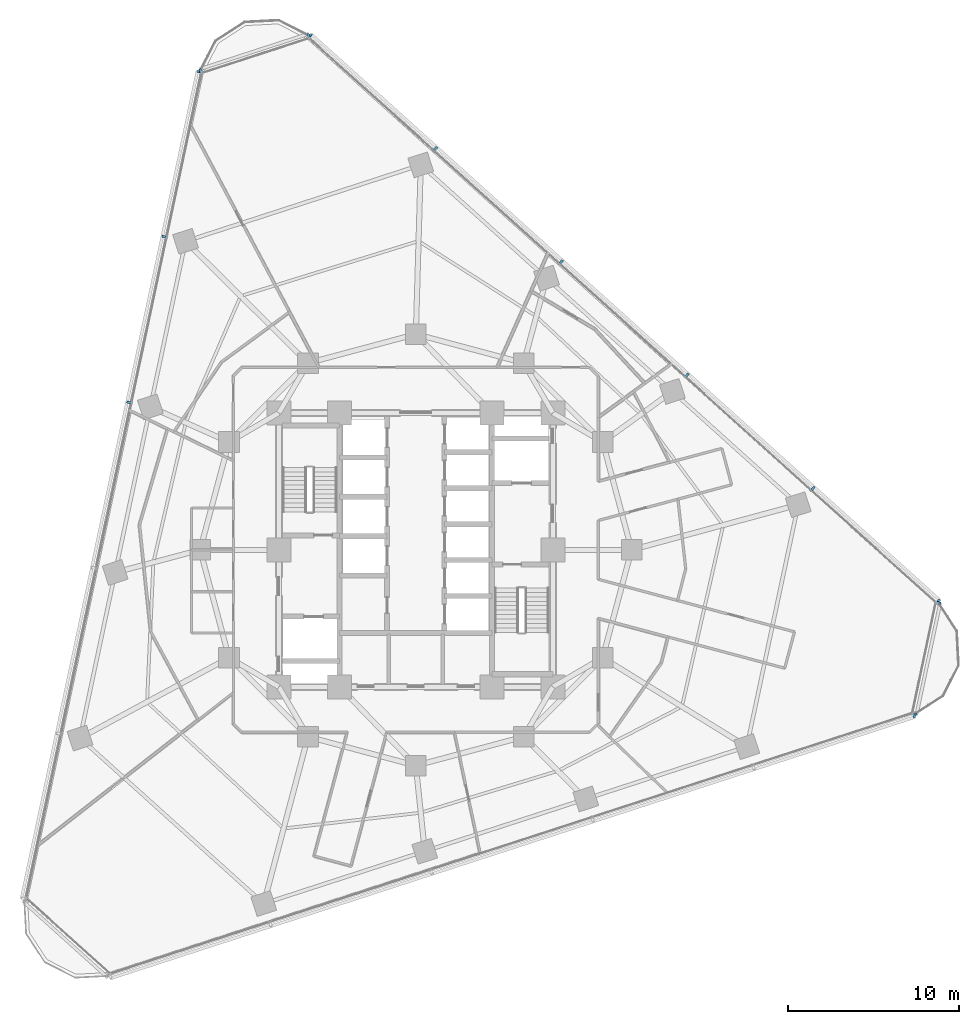
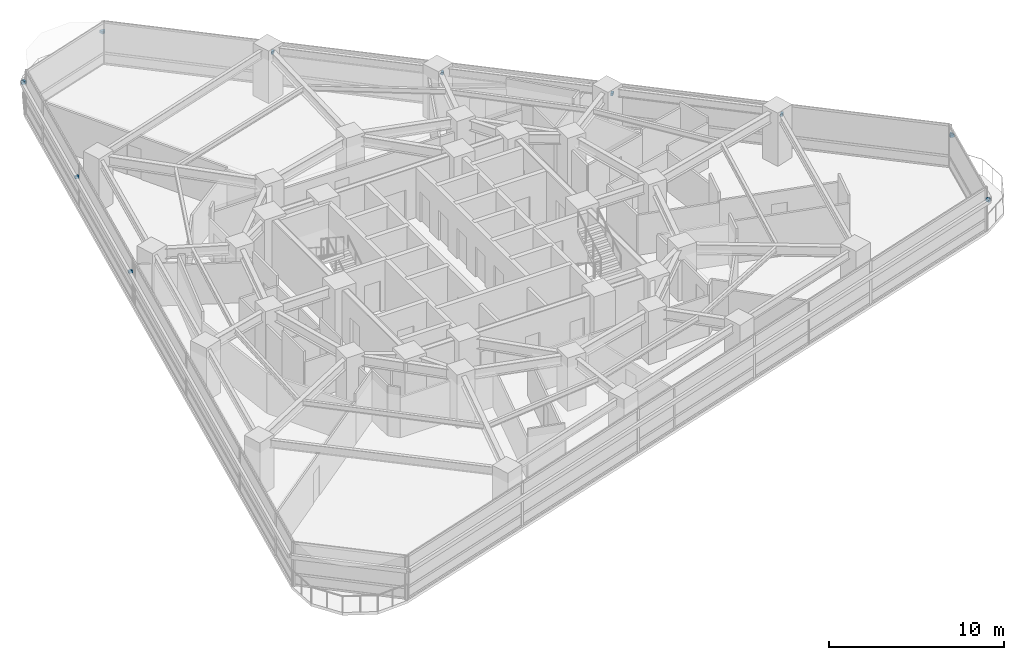
# One storey, part 10 of 13: 14 discrete accessories.
"""IFC4 building model written with IfcOpenShell, lengths in metres."""

from ifc_helpers import new_model, si_unit, direction, frame, origin, origin_2d, place, context, subcontext, project, spatial, rectangle, extrude, material, type_object, element, save


model = new_model("IFC4")

# Units and contexts
model_context = context("Model", 3, precision=1e-05, world=origin(), true_north=direction((0.0, 1.0)))
body_context = subcontext(model_context, "Body", "Model", "MODEL_VIEW")
ifc_project = project(units=[si_unit("LENGTHUNIT", "METRE"), si_unit("AREAUNIT", "SQUARE_METRE"), si_unit("VOLUMEUNIT", "CUBIC_METRE"), si_unit("PLANEANGLEUNIT", "RADIAN"), si_unit("MASSUNIT", "GRAM", prefix="KILO")], contexts=[model_context])

# Site, building, storey
site_placement = place(None, origin())
site = spatial("IfcSite", under=ifc_project, at=site_placement, CompositionType="ELEMENT")
building_placement = place(site_placement, origin())
building = spatial("IfcBuilding", under=site, at=building_placement, Name="Terralouvre Media Tower", CompositionType="ELEMENT")
storey_placement = place(building_placement, frame((0.0, 0.0, 105.10009765625)))
storey = spatial("IfcBuildingStorey", under=building, at=storey_placement, Name="L26", CompositionType="ELEMENT", Elevation=105.10009765625)

# Discrete accessories
ifc_material = material(Name="Anodised extruded aluminium 6063-T6", Category="aluminium")
discrete_accessory_type = type_object("IfcDiscreteAccessoryType", Name="Mullion Stand-Off Baguette Fixing Bracket BK-01", PredefinedType="BRACKET", material=ifc_material)
for number, where, z_axis, x_axis, name in (
    (1, (29.09619140625, -9.67431640625, 2.07373046875), (0.0, 0.0, 1.0), (0.951056509451, 0.309017015439, 0.0), "CW-L26-F0 Baguette Outrigger Bracket 1.06"),
    (2, (30.515625, -2.996337890625, 2.07373046875), (0.0, 0.0, 1.0), (-0.743144795545, 0.669130639602, 0.0), "CW-L26-F1 Baguette Outrigger Bracket 1.01"),
    (3, (23.1953125, 3.5947265625, 2.07373046875), (0.0, 0.0, 1.0), (-0.743144795545, 0.669130639602, 0.0), "CW-L26-F1 Baguette Outrigger Bracket 1.02"),
    (4, (15.846923828125, 10.211181640625, 2.07373046875), (0.0, 0.0, 1.0), (-0.743144795545, 0.669130639602, 0.0), "CW-L26-F1 Baguette Outrigger Bracket 1.03"),
    (5, (8.498779296875, 16.82763671875, 2.07373046875), (0.0, 0.0, 1.0), (-0.743144795545, 0.669130639602, 0.0), "CW-L26-F1 Baguette Outrigger Bracket 1.04"),
    (6, (1.150634765625, 23.44384765625, 2.07373046875), (0.0, 0.0, 1.0), (-0.743144795545, 0.669130639602, 0.0), "CW-L26-F1 Baguette Outrigger Bracket 1.05"),
    (7, (-6.169677734375, 30.03515625, 2.07373046875), (0.0, 0.0, 1.0), (-0.743144795545, 0.669130639602, 0.0), "CW-L26-F1 Baguette Outrigger Bracket 1.06"),
    (8, (-12.662841796875, 27.925537109375, 2.07373046875), (0.0, 0.0, 1.0), (-0.207911643887, -0.978147610709, 0.0), "CW-L26-F2 Baguette Outrigger Bracket 1.01"),
    (9, (-14.710693359375, 18.290283203125, 2.07373046875), (0.0, 0.0, 1.0), (-0.207911643887, -0.978147610709, 0.0), "CW-L26-F2 Baguette Outrigger Bracket 1.02"),
    (10, (-16.7666015625, 8.618408203125, 2.07373046875), (0.0, 0.0, 1.0), (-0.207911643887, -0.978147610709, 0.0), "CW-L26-F2 Baguette Outrigger Bracket 1.03"),
    (11, (29.146728515625, -9.59228515625, 2.07373046875), (0.0, 0.0, 1.0), (0.207911611348, 0.978147617626, 0.0), "CW-L26-C1 Baguette Outrigger Bracket 1.01"),
    (12, (30.5283203125, -3.092041015625, 2.07373046875), (0.0, 0.0, 1.0), (0.207911611348, 0.978147617626, 0.0), "CW-L26-C1 Baguette Outrigger Bracket 1.02"),
    (13, (-6.266357421875, 30.0380859375, 2.07373046875), (0.0, 0.0, 1.0), (-0.951056286408, -0.309017701894, 0.0), "CW-L26-C2 Baguette Outrigger Bracket 1.01"),
    (14, (-12.58642578125, 27.984375, 2.07373046875), (0.0, 0.0, 1.0), (-0.951056286408, -0.309017701894, 0.0), "CW-L26-C2 Baguette Outrigger Bracket 1.02"),
):
    element("IfcDiscreteAccessory", number, at=place(storey_placement, frame(where, z_axis=z_axis, x_axis=x_axis)), inside=storey, type_object=discrete_accessory_type, Name=name, PredefinedType="BRACKET", context=body_context, shape_type="SweptSolid", body=[
        extrude(rectangle(XDim=0.139892578125, YDim=0.239990234375, at=origin_2d()), origin(), (0.0, 0.0, 1.0), 0.179931640625),
    ])

save(model, "model.ifc")
